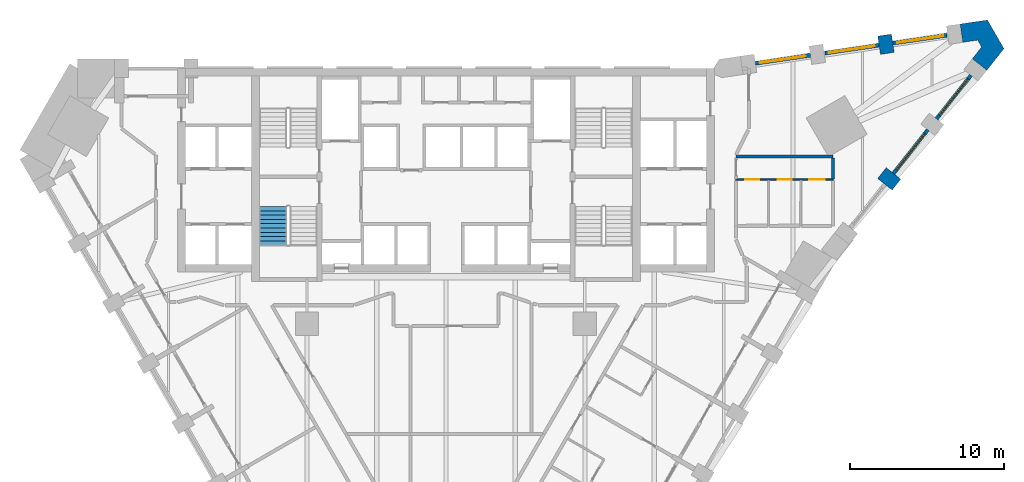
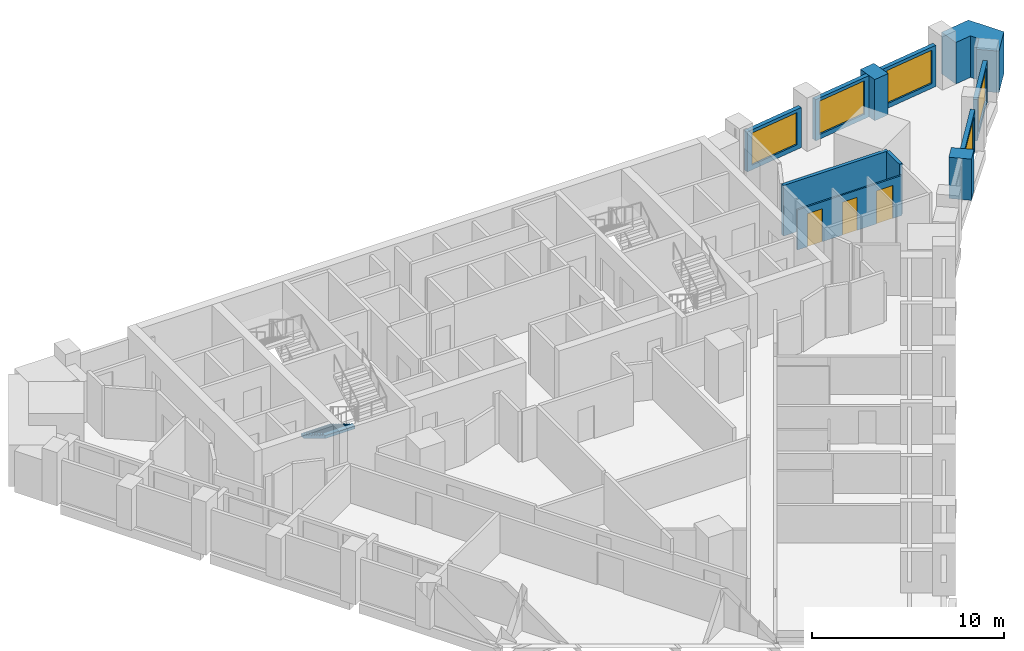
# One storey, part 9 of 11: 11 walls, 5 windows, 3 doors, 1 stair flight, 8 openings, 1 element without a shape of its own.
"""IFC4 building model written with IfcOpenShell, lengths in metres."""

from ifc_helpers import new_model, si_unit, direction, frame, frame_2d, origin, place, context, subcontext, project, spatial, polyline, rectangle, outline, extrude, faceted_brep, source, transform, mapped, material, layer, layer_set, type_object, element, fill, aggregate, save


model = new_model("IFC4")

# Units and contexts
model_context = context("Model", 3, precision=1e-05, world=origin(), true_north=direction((0.0, 1.0)))
body_context = subcontext(model_context, "Body", "Model", "MODEL_VIEW")
ifc_project = project(units=[si_unit("LENGTHUNIT", "METRE"), si_unit("AREAUNIT", "SQUARE_METRE"), si_unit("VOLUMEUNIT", "CUBIC_METRE"), si_unit("PLANEANGLEUNIT", "RADIAN"), si_unit("MASSUNIT", "GRAM", prefix="KILO")], contexts=[model_context])

# Site, building, storey
site_placement = place(None, origin())
site = spatial("IfcSite", under=ifc_project, at=site_placement, CompositionType="ELEMENT")
building_placement = place(site_placement, origin())
building = spatial("IfcBuilding", under=site, at=building_placement, Name="Calabash Gate Tower", CompositionType="ELEMENT")
storey_placement = place(building_placement, frame((0.0, 0.0, 115.60009765625)))
storey = spatial("IfcBuildingStorey", under=building, at=storey_placement, Name="L26", CompositionType="ELEMENT", Elevation=115.60009765625)

# Walls
ifc_material_1 = material(Name="Terracotta brick masonry, exposed face", Category="masonry")
ifc_layer_1 = layer(ifc_material_1, 1.199951171875)
ifc_layer_set_1 = layer_set([ifc_layer_1], Name="Brick end wall 1200")
wall_type_1 = type_object("IfcWallType", Name="Brick end wall 1200", PredefinedType="SOLIDWALL", material=ifc_layer_set_1)
for number, where, z_axis, x_axis, name in (
    (1, (29.204833984375, 11.5224609375, 0.0), (0.0, 0.0, 1.0), (-0.784330409431, 0.620343299184, 0.0), "Brick pier S07 wedge3.1"),
    (2, (28.43701171875, 21.217041015625, 0.0), (0.0, 0.0, 1.0), (0.145066385332, -0.989421924078, 0.0), "Brick pier S07 wedge5.1"),
):
    element("IfcWall", number, at=place(storey_placement, frame(where, z_axis=z_axis, x_axis=x_axis)), inside=storey, type_object=wall_type_1, Name=name, PredefinedType="SOLIDWALL", context=body_context, shape_type="SweptSolid", body=[
        extrude(rectangle(XDim=1.199951171875, YDim=0.89990234375, at=frame_2d((0.60009765625, 0.0))), origin(), (0.0, 0.0, 1.0), 2.6298828125),
    ])
wall_1_placement = place(storey_placement, origin())
element("IfcWall", 3, at=wall_1_placement, inside=storey, type_object=wall_type_1, Name="Brick end wall S07 2", PredefinedType="SOLIDWALL", context=body_context, shape_type="SweptSolid", body=[
    extrude(outline(polyline([(35.066650390625, 18.934814453125), (36.176513671875, 20.337890625), (35.104736328125, 22.1943359375), (33.334716796875, 21.934814453125), (33.5087890625, 20.74755859375), (34.472900390625, 20.888916015625), (34.72998046875, 20.443359375), (34.12548828125, 19.67919921875), (35.066650390625, 18.934814453125)])), origin(), (0.0, 0.0, 1.0), 2.64990234375),
])

# Wall, openings, doors
ifc_material_2 = material(Name="Gypsum board on steel studs, mineral wool", Category="steel")
ifc_layer_2 = layer(ifc_material_2, 0.10009765625)
ifc_layer_set_2 = layer_set([ifc_layer_2], Name="Partition 100 gypsum board")
wall_type_2 = type_object("IfcWallType", Name="Partition 100 gypsum board", PredefinedType="PARTITIONING", material=ifc_layer_set_2)
wall_2_placement = place(storey_placement, frame((18.80029296875, 11.850341796875, 0.0), z_axis=(0.0, 0.0, 1.0), x_axis=(1.0, 0.0, 0.0)))
wall_2 = element("IfcWall", 4, at=wall_2_placement, inside=storey, type_object=wall_type_2, Name="Partition", PredefinedType="PARTITIONING", context=body_context, shape_type="SweptSolid", body=[
    extrude(rectangle(XDim=6.2998046875, YDim=0.10009765625, at=frame_2d((3.14990234375, 0.0))), origin(), (0.0, 0.0, 1.0), 2.5517578125),
])
opening_1_placement = place(wall_2_placement, frame((0.599853515625, 0.0, 0.0)))
opening_1 = element("IfcOpeningElement", 5, at=opening_1_placement, cuts=wall_2, Name="Opening 25-27-019", PredefinedType="OPENING", context=body_context, shape_type="SweptSolid", body=[
    extrude(rectangle(XDim=0.89990234375, YDim=2.10009765625, at=frame_2d((0.449951171875, 1.050048828125))), frame((0.0, 0.06005859375, 0.0), z_axis=(0.0, -1.0, 0.0), x_axis=(1.0, 0.0, 0.0)), (0.0, 0.0, 1.0), 0.1201171875),
])
opening_2_placement = place(wall_2_placement, frame((2.699951171875, 0.0, 0.0)))
opening_2 = element("IfcOpeningElement", 6, at=opening_2_placement, cuts=wall_2, Name="Opening 25-27-020", PredefinedType="OPENING", context=body_context, shape_type="SweptSolid", body=[
    extrude(rectangle(XDim=0.89990234375, YDim=2.10009765625, at=frame_2d((0.449951171875, 1.050048828125))), frame((0.0, 0.06005859375, 0.0), z_axis=(0.0, -1.0, 0.0), x_axis=(1.0, 0.0, 0.0)), (0.0, 0.0, 1.0), 0.1201171875),
])
opening_3_placement = place(wall_2_placement, frame((4.75, 0.0, 0.0)))
opening_3 = element("IfcOpeningElement", 7, at=opening_3_placement, cuts=wall_2, Name="Opening 25-27-021", PredefinedType="OPENING", context=body_context, shape_type="SweptSolid", body=[
    extrude(rectangle(XDim=1.0, YDim=2.10009765625, at=frame_2d((0.5, 1.050048828125))), frame((0.0, 0.06005859375, 0.0), z_axis=(0.0, -1.0, 0.0), x_axis=(1.0, 0.0, 0.0)), (0.0, 0.0, 1.0), 0.1201171875),
])
ifc_material_3 = material(Name="Painted timber door", Category="wood")
door_type_1 = type_object("IfcDoorType", Name="WD1 WC door 900x2100", OperationType="NOTDEFINED", PredefinedType="DOOR", material=ifc_material_3)
door_1_placement = place(opening_1_placement, origin())
door_1 = element("IfcDoor", 8, at=door_1_placement, inside=storey, type_object=door_type_1, Name="WC door", OperationType="SINGLE_SWING_RIGHT", OverallHeight=2.10009765625, OverallWidth=0.89990234375, PredefinedType="DOOR", context=body_context, shape_type="SweptSolid", body=[
    extrude(rectangle(XDim=0.89990234375, YDim=2.10009765625, at=frame_2d((0.449951171875, 1.050048828125))), frame((0.0, 0.02490234375, 0.0), z_axis=(0.0, -1.0, 0.0), x_axis=(1.0, 0.0, 0.0)), (0.0, 0.0, 1.0), 0.050048828125),
])
fill(opening_1, door_1)
door_2_placement = place(opening_2_placement, origin())
door_2 = element("IfcDoor", 9, at=door_2_placement, inside=storey, type_object=door_type_1, Name="WC door", OperationType="SINGLE_SWING_RIGHT", OverallHeight=2.10009765625, OverallWidth=0.89990234375, PredefinedType="DOOR", context=body_context, shape_type="SweptSolid", body=[
    extrude(rectangle(XDim=0.89990234375, YDim=2.10009765625, at=frame_2d((0.449951171875, 1.050048828125))), frame((0.0, 0.02490234375, 0.0), z_axis=(0.0, -1.0, 0.0), x_axis=(1.0, 0.0, 0.0)), (0.0, 0.0, 1.0), 0.050048828125),
])
fill(opening_2, door_2)
ifc_material_4 = material(Name="Painted timber door", Category="wood")
door_type_2 = type_object("IfcDoorType", Name="WD2 Accessible WC door 1000x2100", OperationType="NOTDEFINED", PredefinedType="DOOR", material=ifc_material_4)
door_3_placement = place(opening_3_placement, origin())
door_3 = element("IfcDoor", 10, at=door_3_placement, inside=storey, type_object=door_type_2, Name="Accessible WC door", OperationType="SINGLE_SWING_LEFT", OverallHeight=2.10009765625, OverallWidth=1.0, PredefinedType="DOOR", context=body_context, shape_type="SweptSolid", body=[
    extrude(rectangle(XDim=1.0, YDim=2.10009765625, at=frame_2d((0.5, 1.050048828125))), frame((0.0, 0.02490234375, 0.0), z_axis=(0.0, -1.0, 0.0), x_axis=(1.0, 0.0, 0.0)), (0.0, 0.0, 1.0), 0.050048828125),
])
fill(opening_3, door_3)

# Walls
ifc_material_5 = material(Name="Gypsum board on steel studs, mineral wool", Category="steel")
ifc_layer_3 = layer(ifc_material_5, 0.199951171875)
ifc_layer_set_3 = layer_set([ifc_layer_3], Name="Partition 200 gypsum board EI 60")
wall_type_3 = type_object("IfcWallType", Name="Partition 200 gypsum board EI 60", PredefinedType="PARTITIONING", material=ifc_layer_set_3)
wall_3_placement = place(storey_placement, frame((25.098388671875, 11.90234375, 0.0), z_axis=(0.0, 0.0, 1.0), x_axis=(0.001085186556, 0.999999411185, 0.0)))
element("IfcWall", 11, at=wall_3_placement, inside=storey, type_object=wall_type_3, Name="Partition", PredefinedType="PARTITIONING", context=body_context, shape_type="SweptSolid", body=[
    extrude(rectangle(XDim=1.349853515625, YDim=0.199951171875, at=frame_2d((0.6748046875, 0.0))), origin(), (0.0, 0.0, 1.0), 3.22998046875),
])
wall_4_placement = place(storey_placement, frame((18.802001953125, 13.3505859375, 0.0), z_axis=(0.0, 0.0, 1.0), x_axis=(0.999999963185, 0.000271349372, 0.0)))
element("IfcWall", 12, at=wall_4_placement, inside=storey, type_object=wall_type_3, Name="Partition", PredefinedType="PARTITIONING", context=body_context, shape_type="SweptSolid", body=[
    extrude(rectangle(XDim=6.298095703125, YDim=0.199951171875, at=frame_2d((3.14892578125, 0.0))), origin(), (0.0, 0.0, 1.0), 3.22998046875),
])

# Wall, opening, window
ifc_material_6 = material(Name="Aluminium framed window wall with insulated spandrel", Category="aluminium")
ifc_layer_4 = layer(ifc_material_6, 0.25)
ifc_layer_set_4 = layer_set([ifc_layer_4], Name="Prow window wall 250")
wall_type_4 = type_object("IfcWallType", Name="Prow window wall 250", PredefinedType="ELEMENTEDWALL", material=ifc_layer_set_4)
wall_5_placement = place(storey_placement, frame((29.013427734375, 12.24755859375, 0.0), z_axis=(0.0, 0.0, 1.0), x_axis=(0.620310302622, 0.784356505972, 0.0)))
wall_5 = element("IfcWall", 13, at=wall_5_placement, inside=storey, type_object=wall_type_4, Name="Prow window wall S07 wedge3.2", PredefinedType="ELEMENTEDWALL", context=body_context, shape_type="SweptSolid", body=[
    extrude(rectangle(XDim=3.60009765625, YDim=0.25, at=frame_2d((1.800048828125, 0.0))), origin(), (0.0, 0.0, 1.0), 2.6298828125),
])
opening_4_placement = place(wall_5_placement, frame((0.300048828125, 0.0, 0.300048828125)))
opening_4 = element("IfcOpeningElement", 14, at=opening_4_placement, cuts=wall_5, Name="Opening WP1L-2130", PredefinedType="OPENING", context=body_context, shape_type="SweptSolid", body=[
    extrude(rectangle(XDim=3.0, YDim=2.1298828125, at=frame_2d((1.5, 1.06494140625))), frame((0.0, 0.135009765625, 0.0), z_axis=(0.0, -1.0, 0.0), x_axis=(1.0, 0.0, 0.0)), (0.0, 0.0, 1.0), 0.27001953125),
])
ifc_material_7 = material(Name="Anodised aluminium frame, bronze finish, impact-rated laminated clear glazing", Category="aluminium")
window_type_1 = type_object("IfcWindowType", Name="Window WP1L 3000x2130", PartitioningType="DOUBLE_PANEL_VERTICAL", PredefinedType="WINDOW", material=ifc_material_7)
window_1_placement = place(opening_4_placement, origin())
window_1 = element("IfcWindow", 15, at=window_1_placement, inside=storey, type_object=window_type_1, Name="Prow window WP1L S07 wedge3.2", OverallHeight=2.1298828125, OverallWidth=3.0, PartitioningType="SINGLE_PANEL", PredefinedType="WINDOW", context=body_context, shape_type="SweptSolid", body=[
    extrude(rectangle(XDim=3.0, YDim=2.1298828125, at=frame_2d((1.5, 1.06494140625))), frame((0.0, 0.030029296875, 0.0), z_axis=(0.0, -1.0, 0.0), x_axis=(1.0, 0.0, 0.0)), (0.0, 0.0, 1.0), 0.06005859375),
])
fill(opening_4, window_1)

wall_6_placement = place(storey_placement, frame((31.804931640625, 15.77734375, 0.0), z_axis=(0.0, 0.0, 1.0), x_axis=(0.620301575857, 0.784363407477, 0.0)))
wall_6 = element("IfcWall", 16, at=wall_6_placement, inside=storey, type_object=wall_type_4, Name="Prow window wall S07 wedge3.3", PredefinedType="ELEMENTEDWALL", context=body_context, shape_type="SweptSolid", body=[
    extrude(rectangle(XDim=3.599609375, YDim=0.25, at=frame_2d((1.7998046875, 0.0))), origin(), (0.0, 0.0, 1.0), 2.6298828125),
])
opening_5_placement = place(wall_6_placement, frame((0.300048828125, 0.0, 0.300048828125)))
opening_5 = element("IfcOpeningElement", 17, at=opening_5_placement, cuts=wall_6, Name="Opening WP1L-2130", PredefinedType="OPENING", context=body_context, shape_type="SweptSolid", body=[
    extrude(rectangle(XDim=3.0, YDim=2.1298828125, at=frame_2d((1.5, 1.06494140625))), frame((0.0, 0.135009765625, 0.0), z_axis=(0.0, -1.0, 0.0), x_axis=(1.0, 0.0, 0.0)), (0.0, 0.0, 1.0), 0.27001953125),
])
window_2_placement = place(opening_5_placement, origin())
window_2 = element("IfcWindow", 18, at=window_2_placement, inside=storey, type_object=window_type_1, Name="Prow window WP1L S07 wedge3.3", OverallHeight=2.1298828125, OverallWidth=3.0, PartitioningType="SINGLE_PANEL", PredefinedType="WINDOW", context=body_context, shape_type="SweptSolid", body=[
    extrude(rectangle(XDim=3.0, YDim=2.1298828125, at=frame_2d((1.5, 1.06494140625))), frame((0.0, 0.030029296875, 0.0), z_axis=(0.0, -1.0, 0.0), x_axis=(1.0, 0.0, 0.0)), (0.0, 0.0, 1.0), 0.06005859375),
])
fill(opening_5, window_2)

wall_7_placement = place(storey_placement, frame((32.481689453125, 21.203369140625, 0.0), z_axis=(0.0, 0.0, 1.0), x_axis=(-0.989427410985, -0.145028957081, 0.0)))
wall_7 = element("IfcWall", 19, at=wall_7_placement, inside=storey, type_object=wall_type_4, Name="Prow window wall S07 wedge5.1", PredefinedType="ELEMENTEDWALL", context=body_context, shape_type="SweptSolid", body=[
    extrude(rectangle(XDim=3.552001953125, YDim=0.25, at=frame_2d((1.77587890625, 0.0))), origin(), (0.0, 0.0, 1.0), 2.6298828125),
])
opening_6_placement = place(wall_7_placement, frame((0.25, 0.0, 0.300048828125)))
opening_6 = element("IfcOpeningElement", 20, at=opening_6_placement, cuts=wall_7, Name="Opening WP1L-2130", PredefinedType="OPENING", context=body_context, shape_type="SweptSolid", body=[
    extrude(rectangle(XDim=3.0, YDim=2.1298828125, at=frame_2d((1.5, 1.06494140625))), frame((0.0, 0.135009765625, 0.0), z_axis=(0.0, -1.0, 0.0), x_axis=(1.0, 0.0, 0.0)), (0.0, 0.0, 1.0), 0.27001953125),
])
window_3_placement = place(opening_6_placement, origin())
window_3 = element("IfcWindow", 21, at=window_3_placement, inside=storey, type_object=window_type_1, Name="Prow window WP1L S07 wedge5.1", OverallHeight=2.1298828125, OverallWidth=3.0, PartitioningType="SINGLE_PANEL", PredefinedType="WINDOW", context=body_context, shape_type="SweptSolid", body=[
    extrude(rectangle(XDim=3.0, YDim=2.1298828125, at=frame_2d((1.5, 1.06494140625))), frame((0.0, 0.030029296875, 0.0), z_axis=(0.0, -1.0, 0.0), x_axis=(1.0, 0.0, 0.0)), (0.0, 0.0, 1.0), 0.06005859375),
])
fill(opening_6, window_3)

wall_8_placement = place(storey_placement, frame((28.080810546875, 20.558349609375, 0.0), z_axis=(0.0, 0.0, 1.0), x_axis=(-0.989427410985, -0.145028957081, 0.0)))
wall_8 = element("IfcWall", 22, at=wall_8_placement, inside=storey, type_object=wall_type_4, Name="Prow window wall S07 wedge5.2", PredefinedType="ELEMENTEDWALL", context=body_context, shape_type="SweptSolid", body=[
    extrude(rectangle(XDim=3.552001953125, YDim=0.25, at=frame_2d((1.77587890625, 0.0))), origin(), (0.0, 0.0, 1.0), 2.6298828125),
])
opening_7_placement = place(wall_8_placement, frame((0.302001953125, 0.0, 0.300048828125)))
opening_7 = element("IfcOpeningElement", 23, at=opening_7_placement, cuts=wall_8, Name="Opening WP1L-2130", PredefinedType="OPENING", context=body_context, shape_type="SweptSolid", body=[
    extrude(rectangle(XDim=3.0, YDim=2.1298828125, at=frame_2d((1.5, 1.06494140625))), frame((0.0, 0.135009765625, 0.0), z_axis=(0.0, -1.0, 0.0), x_axis=(1.0, 0.0, 0.0)), (0.0, 0.0, 1.0), 0.27001953125),
])
window_4_placement = place(opening_7_placement, origin())
window_4 = element("IfcWindow", 24, at=window_4_placement, inside=storey, type_object=window_type_1, Name="Prow window WP1L S07 wedge5.2", OverallHeight=2.1298828125, OverallWidth=3.0, PartitioningType="SINGLE_PANEL", PredefinedType="WINDOW", context=body_context, shape_type="SweptSolid", body=[
    extrude(rectangle(XDim=3.0, YDim=2.1298828125, at=frame_2d((1.5, 1.06494140625))), frame((0.0, 0.030029296875, 0.0), z_axis=(0.0, -1.0, 0.0), x_axis=(1.0, 0.0, 0.0)), (0.0, 0.0, 1.0), 0.06005859375),
])
fill(opening_7, window_4)

wall_9_placement = place(storey_placement, frame((23.626220703125, 19.905517578125, 0.0), z_axis=(0.0, 0.0, 1.0), x_axis=(-0.989431656237, -0.144999991846, 0.0)))
wall_9 = element("IfcWall", 25, at=wall_9_placement, inside=storey, type_object=wall_type_4, Name="Prow window wall S07 wedge5.3", PredefinedType="ELEMENTEDWALL", context=body_context, shape_type="SweptSolid", body=[
    extrude(rectangle(XDim=3.599853515625, YDim=0.25, at=frame_2d((1.7998046875, 0.0))), origin(), (0.0, 0.0, 1.0), 2.5517578125),
])
opening_8_placement = place(wall_9_placement, frame((0.300048828125, 0.0, 0.300048828125)))
opening_8 = element("IfcOpeningElement", 26, at=opening_8_placement, cuts=wall_9, Name="Opening WP1L-2050", PredefinedType="OPENING", context=body_context, shape_type="SweptSolid", body=[
    extrude(rectangle(XDim=3.0, YDim=2.050048828125, at=frame_2d((1.5, 1.02490234375))), frame((0.0, 0.135009765625, 0.0), z_axis=(0.0, -1.0, 0.0), x_axis=(1.0, 0.0, 0.0)), (0.0, 0.0, 1.0), 0.27001953125),
])
ifc_material_8 = material(Name="Anodised aluminium frame, bronze finish, impact-rated laminated clear glazing", Category="aluminium")
window_type_2 = type_object("IfcWindowType", Name="Window WP1L 3000x2050", PartitioningType="DOUBLE_PANEL_VERTICAL", PredefinedType="WINDOW", material=ifc_material_8)
window_5_placement = place(opening_8_placement, origin())
window_5 = element("IfcWindow", 27, at=window_5_placement, inside=storey, type_object=window_type_2, Name="Prow window WP1L S07 wedge5.3", OverallHeight=2.050048828125, OverallWidth=3.0, PartitioningType="SINGLE_PANEL", PredefinedType="WINDOW", context=body_context, shape_type="SweptSolid", body=[
    extrude(rectangle(XDim=3.0, YDim=2.050048828125, at=frame_2d((1.5, 1.02490234375))), frame((0.0, 0.030029296875, 0.0), z_axis=(0.0, -1.0, 0.0), x_axis=(1.0, 0.0, 0.0)), (0.0, 0.0, 1.0), 0.06005859375),
])
fill(opening_8, window_5)

# Stair, stair flight
ifc_material_9 = material(Name="Concrete C40/50", Category="concrete")
stair_type = type_object("IfcStairType", Name="Exit stair 20 risers of 170 mm", PredefinedType="HALF_TURN_STAIR", material=ifc_material_9)
stair_placement = place(storey_placement, origin())
stair = element("IfcStair", 28, at=stair_placement, inside=storey, type_object=stair_type, Name="L26 Exit stair ST2", PredefinedType="HALF_TURN_STAIR")
ifc_material_10 = material(Name="Concrete C40/50", Category="concrete")
stair_flight_type = type_object("IfcStairFlightType", Name="Exit stair flight SFL", PredefinedType="STRAIGHT", material=ifc_material_10)
shared_shape = source(origin(), body_context, "Body", "Brep", [
    faceted_brep([(-0.0009765625, -0.89990234375, 0.0), (0.2880859375, -0.89990234375, 0.0), (2.511962890625, -0.89990234375, 1.3544921875), (-0.0009765625, 0.89990234375, 0.0), (2.511962890625, 0.89990234375, 1.3544921875), (0.2880859375, 0.89990234375, 0.0), (2.511962890625, -0.89990234375, 1.5419921875), (2.510986328125, -0.89990234375, 1.5419921875), (2.510986328125, 0.89990234375, 1.5419921875), (2.511962890625, 0.89990234375, 1.5419921875), (2.510986328125, -0.89990234375, 1.530029296875), (2.510986328125, 0.89990234375, 1.530029296875), (2.23193359375, -0.89990234375, 1.530029296875), (2.23193359375, 0.89990234375, 1.530029296875), (2.23193359375, -0.89990234375, 1.360107421875), (2.23193359375, 0.89990234375, 1.360107421875), (1.952880859375, -0.89990234375, 1.360107421875), (1.952880859375, 0.89990234375, 1.360107421875), (1.952880859375, -0.89990234375, 1.18994140625), (1.952880859375, 0.89990234375, 1.18994140625), (1.674072265625, -0.89990234375, 1.18994140625), (1.674072265625, -0.89990234375, 1.02001953125), (1.674072265625, 0.89990234375, 1.02001953125), (1.674072265625, 0.89990234375, 1.18994140625), (1.39501953125, -0.89990234375, 1.02001953125), (1.39501953125, -0.89990234375, 0.85009765625), (1.39501953125, 0.89990234375, 0.85009765625), (1.39501953125, 0.89990234375, 1.02001953125), (1.115966796875, -0.89990234375, 0.85009765625), (1.115966796875, -0.89990234375, 0.679931640625), (1.115966796875, 0.89990234375, 0.679931640625), (1.115966796875, 0.89990234375, 0.85009765625), (0.8369140625, -0.89990234375, 0.679931640625), (0.8369140625, -0.89990234375, 0.510009765625), (0.8369140625, 0.89990234375, 0.510009765625), (0.8369140625, 0.89990234375, 0.679931640625), (0.55810546875, -0.89990234375, 0.510009765625), (0.55810546875, -0.89990234375, 0.340087890625), (0.55810546875, 0.89990234375, 0.340087890625), (0.55810546875, 0.89990234375, 0.510009765625), (0.279052734375, -0.89990234375, 0.340087890625), (0.279052734375, -0.89990234375, 0.169921875), (0.279052734375, 0.89990234375, 0.169921875), (0.279052734375, 0.89990234375, 0.340087890625), (-0.0009765625, -0.89990234375, 0.169921875), (-0.0009765625, 0.89990234375, 0.169921875), (0.2880859375, -0.360107421875, 0.0), (2.511962890625, -0.360107421875, 1.3544921875), (0.2880859375, -0.179931640625, 0.0), (2.511962890625, -0.179931640625, 1.3544921875), (0.2880859375, 0.0, 0.0), (2.511962890625, 0.0, 1.3544921875), (0.2880859375, 0.179931640625, 0.0), (2.511962890625, 0.179931640625, 1.3544921875), (0.2880859375, 0.360107421875, 0.0), (2.511962890625, 0.360107421875, 1.3544921875), (2.511962890625, -0.360107421875, 1.5419921875), (2.511962890625, -0.179931640625, 1.5419921875), (2.511962890625, 0.0, 1.5419921875), (2.511962890625, 0.179931640625, 1.5419921875), (2.511962890625, 0.360107421875, 1.5419921875), (2.510986328125, -0.360107421875, 1.5419921875), (2.510986328125, -0.179931640625, 1.5419921875), (2.510986328125, 0.0, 1.5419921875), (2.510986328125, 0.179931640625, 1.5419921875), (2.510986328125, 0.360107421875, 1.5419921875), (2.510986328125, -0.360107421875, 1.530029296875), (2.510986328125, -0.179931640625, 1.530029296875), (2.510986328125, 0.0, 1.530029296875), (2.510986328125, 0.179931640625, 1.530029296875), (2.510986328125, 0.360107421875, 1.530029296875), (2.23193359375, -0.360107421875, 1.530029296875), (2.23193359375, -0.179931640625, 1.530029296875), (2.23193359375, 0.0, 1.530029296875), (2.23193359375, 0.179931640625, 1.530029296875), (2.23193359375, 0.360107421875, 1.530029296875), (2.23193359375, -0.360107421875, 1.360107421875), (2.23193359375, -0.179931640625, 1.360107421875), (2.23193359375, 0.0, 1.360107421875), (2.23193359375, 0.179931640625, 1.360107421875), (2.23193359375, 0.360107421875, 1.360107421875), (1.952880859375, -0.360107421875, 1.360107421875), (1.952880859375, -0.179931640625, 1.360107421875), (1.952880859375, 0.0, 1.360107421875), (1.952880859375, 0.179931640625, 1.360107421875), (1.952880859375, 0.360107421875, 1.360107421875), (1.952880859375, -0.360107421875, 1.18994140625), (1.952880859375, -0.179931640625, 1.18994140625), (1.952880859375, 0.0, 1.18994140625), (1.952880859375, 0.179931640625, 1.18994140625), (1.952880859375, 0.360107421875, 1.18994140625), (1.674072265625, -0.360107421875, 1.18994140625), (1.674072265625, -0.179931640625, 1.18994140625), (1.674072265625, 0.0, 1.18994140625), (1.674072265625, 0.179931640625, 1.18994140625), (1.674072265625, 0.360107421875, 1.18994140625), (1.674072265625, -0.360107421875, 1.02001953125), (1.674072265625, -0.179931640625, 1.02001953125), (1.674072265625, 0.0, 1.02001953125), (1.674072265625, 0.179931640625, 1.02001953125), (1.674072265625, 0.360107421875, 1.02001953125), (1.39501953125, -0.360107421875, 1.02001953125), (1.39501953125, -0.179931640625, 1.02001953125), (1.39501953125, 0.0, 1.02001953125), (1.39501953125, 0.179931640625, 1.02001953125), (1.39501953125, 0.360107421875, 1.02001953125), (1.39501953125, -0.360107421875, 0.85009765625), (1.39501953125, -0.179931640625, 0.85009765625), (1.39501953125, 0.0, 0.85009765625), (1.39501953125, 0.179931640625, 0.85009765625), (1.39501953125, 0.360107421875, 0.85009765625), (1.115966796875, -0.360107421875, 0.85009765625), (1.115966796875, -0.179931640625, 0.85009765625), (1.115966796875, 0.0, 0.85009765625), (1.115966796875, 0.179931640625, 0.85009765625), (1.115966796875, 0.360107421875, 0.85009765625), (1.115966796875, -0.360107421875, 0.679931640625), (1.115966796875, -0.179931640625, 0.679931640625), (1.115966796875, 0.0, 0.679931640625), (1.115966796875, 0.179931640625, 0.679931640625), (1.115966796875, 0.360107421875, 0.679931640625), (0.8369140625, -0.360107421875, 0.679931640625), (0.8369140625, -0.179931640625, 0.679931640625), (0.8369140625, 0.0, 0.679931640625), (0.8369140625, 0.179931640625, 0.679931640625), (0.8369140625, 0.360107421875, 0.679931640625), (0.8369140625, -0.360107421875, 0.510009765625), (0.8369140625, -0.179931640625, 0.510009765625), (0.8369140625, 0.0, 0.510009765625), (0.8369140625, 0.179931640625, 0.510009765625), (0.8369140625, 0.360107421875, 0.510009765625), (0.55810546875, -0.360107421875, 0.510009765625), (0.55810546875, -0.179931640625, 0.510009765625), (0.55810546875, 0.0, 0.510009765625), (0.55810546875, 0.179931640625, 0.510009765625), (0.55810546875, 0.360107421875, 0.510009765625), (0.55810546875, -0.360107421875, 0.340087890625), (0.55810546875, -0.179931640625, 0.340087890625), (0.55810546875, 0.0, 0.340087890625), (0.55810546875, 0.179931640625, 0.340087890625), (0.55810546875, 0.360107421875, 0.340087890625), (0.279052734375, -0.360107421875, 0.340087890625), (0.279052734375, -0.179931640625, 0.340087890625), (0.279052734375, 0.0, 0.340087890625), (0.279052734375, 0.179931640625, 0.340087890625), (0.279052734375, 0.360107421875, 0.340087890625), (0.279052734375, -0.360107421875, 0.169921875), (0.279052734375, -0.179931640625, 0.169921875), (0.279052734375, 0.0, 0.169921875), (0.279052734375, 0.179931640625, 0.169921875), (0.279052734375, 0.360107421875, 0.169921875), (-0.0009765625, -0.360107421875, 0.169921875), (-0.0009765625, -0.179931640625, 0.169921875), (-0.0009765625, 0.0, 0.169921875), (-0.0009765625, 0.179931640625, 0.169921875), (-0.0009765625, 0.360107421875, 0.169921875), (-0.0009765625, -0.360107421875, 0.0), (-0.0009765625, -0.179931640625, 0.0), (-0.0009765625, 0.0, 0.0), (-0.0009765625, 0.179931640625, 0.0), (-0.0009765625, 0.360107421875, 0.0)], [[[0, 1, 2]], [[3, 4, 5]], [[2, 6, 7]], [[4, 8, 9]], [[2, 7, 10]], [[4, 11, 8]], [[2, 10, 12]], [[4, 13, 11]], [[2, 12, 14]], [[4, 15, 13]], [[2, 14, 16]], [[4, 17, 15]], [[2, 16, 18]], [[4, 19, 17]], [[18, 20, 21]], [[19, 22, 23]], [[2, 18, 21]], [[4, 22, 19]], [[21, 24, 25]], [[22, 26, 27]], [[2, 21, 25]], [[4, 26, 22]], [[25, 28, 29]], [[26, 30, 31]], [[2, 25, 29]], [[4, 30, 26]], [[29, 32, 33]], [[30, 34, 35]], [[2, 29, 33]], [[4, 34, 30]], [[33, 36, 37]], [[34, 38, 39]], [[2, 33, 37]], [[4, 38, 34]], [[37, 40, 41]], [[38, 42, 43]], [[2, 37, 41]], [[4, 42, 38]], [[0, 2, 41]], [[3, 42, 4]], [[41, 44, 0]], [[42, 3, 45]], [[1, 46, 2]], [[46, 47, 2]], [[46, 48, 47]], [[48, 49, 47]], [[48, 50, 49]], [[50, 51, 49]], [[50, 52, 53]], [[50, 53, 51]], [[52, 54, 55]], [[52, 55, 53]], [[54, 5, 4]], [[54, 4, 55]], [[2, 47, 6]], [[47, 56, 6]], [[47, 49, 56]], [[49, 57, 56]], [[49, 51, 57]], [[51, 58, 57]], [[51, 53, 59]], [[51, 59, 58]], [[53, 55, 60]], [[53, 60, 59]], [[55, 4, 9]], [[55, 9, 60]], [[6, 56, 7]], [[56, 61, 7]], [[56, 57, 61]], [[57, 62, 61]], [[57, 58, 62]], [[58, 63, 62]], [[58, 59, 64]], [[58, 64, 63]], [[59, 60, 65]], [[59, 65, 64]], [[60, 9, 8]], [[60, 8, 65]], [[7, 61, 10]], [[61, 66, 10]], [[61, 62, 66]], [[62, 67, 66]], [[62, 63, 67]], [[63, 68, 67]], [[63, 64, 69]], [[63, 69, 68]], [[64, 65, 70]], [[64, 70, 69]], [[65, 8, 11]], [[65, 11, 70]], [[10, 66, 12]], [[66, 71, 12]], [[66, 67, 71]], [[67, 72, 71]], [[67, 68, 72]], [[68, 73, 72]], [[68, 69, 74]], [[68, 74, 73]], [[69, 70, 75]], [[69, 75, 74]], [[70, 11, 13]], [[70, 13, 75]], [[12, 71, 14]], [[71, 76, 14]], [[71, 72, 76]], [[72, 77, 76]], [[72, 73, 77]], [[73, 78, 77]], [[73, 74, 79]], [[73, 79, 78]], [[74, 75, 80]], [[74, 80, 79]], [[75, 13, 15]], [[75, 15, 80]], [[14, 76, 16]], [[76, 81, 16]], [[76, 77, 81]], [[77, 82, 81]], [[77, 78, 82]], [[78, 83, 82]], [[78, 79, 84]], [[78, 84, 83]], [[79, 80, 85]], [[79, 85, 84]], [[80, 15, 17]], [[80, 17, 85]], [[16, 81, 18]], [[81, 86, 18]], [[81, 82, 86]], [[82, 87, 86]], [[82, 83, 87]], [[83, 88, 87]], [[83, 84, 89]], [[83, 89, 88]], [[84, 85, 90]], [[84, 90, 89]], [[85, 17, 19]], [[85, 19, 90]], [[18, 86, 20]], [[86, 91, 20]], [[86, 87, 91]], [[87, 92, 91]], [[87, 88, 92]], [[88, 93, 92]], [[88, 89, 94]], [[88, 94, 93]], [[89, 90, 95]], [[89, 95, 94]], [[90, 19, 23]], [[90, 23, 95]], [[20, 91, 21]], [[91, 96, 21]], [[91, 92, 96]], [[92, 97, 96]], [[92, 93, 97]], [[93, 98, 97]], [[93, 94, 99]], [[93, 99, 98]], [[94, 95, 100]], [[94, 100, 99]], [[95, 23, 22]], [[95, 22, 100]], [[21, 96, 24]], [[96, 101, 24]], [[96, 97, 101]], [[97, 102, 101]], [[97, 98, 102]], [[98, 103, 102]], [[98, 99, 104]], [[98, 104, 103]], [[99, 100, 105]], [[99, 105, 104]], [[100, 22, 27]], [[100, 27, 105]], [[24, 101, 25]], [[101, 106, 25]], [[101, 102, 106]], [[102, 107, 106]], [[102, 103, 107]], [[103, 108, 107]], [[103, 104, 109]], [[103, 109, 108]], [[104, 105, 110]], [[104, 110, 109]], [[105, 27, 26]], [[105, 26, 110]], [[25, 106, 28]], [[106, 111, 28]], [[106, 107, 111]], [[107, 112, 111]], [[107, 108, 112]], [[108, 113, 112]], [[108, 109, 114]], [[108, 114, 113]], [[109, 110, 115]], [[109, 115, 114]], [[110, 26, 31]], [[110, 31, 115]], [[28, 111, 29]], [[111, 116, 29]], [[111, 112, 116]], [[112, 117, 116]], [[112, 113, 117]], [[113, 118, 117]], [[113, 114, 119]], [[113, 119, 118]], [[114, 115, 120]], [[114, 120, 119]], [[115, 31, 30]], [[115, 30, 120]], [[29, 116, 32]], [[116, 121, 32]], [[116, 117, 121]], [[117, 122, 121]], [[117, 118, 122]], [[118, 123, 122]], [[118, 119, 124]], [[118, 124, 123]], [[119, 120, 125]], [[119, 125, 124]], [[120, 30, 35]], [[120, 35, 125]], [[32, 121, 33]], [[121, 126, 33]], [[121, 122, 126]], [[122, 127, 126]], [[122, 123, 127]], [[123, 128, 127]], [[123, 124, 129]], [[123, 129, 128]], [[124, 125, 130]], [[124, 130, 129]], [[125, 35, 34]], [[125, 34, 130]], [[33, 126, 36]], [[126, 131, 36]], [[126, 127, 131]], [[127, 132, 131]], [[127, 128, 132]], [[128, 133, 132]], [[128, 129, 134]], [[128, 134, 133]], [[129, 130, 135]], [[129, 135, 134]], [[130, 34, 39]], [[130, 39, 135]], [[36, 131, 37]], [[131, 136, 37]], [[131, 132, 136]], [[132, 137, 136]], [[132, 133, 137]], [[133, 138, 137]], [[133, 134, 139]], [[133, 139, 138]], [[134, 135, 140]], [[134, 140, 139]], [[135, 39, 38]], [[135, 38, 140]], [[37, 136, 40]], [[136, 141, 40]], [[136, 137, 141]], [[137, 142, 141]], [[137, 138, 142]], [[138, 143, 142]], [[138, 139, 144]], [[138, 144, 143]], [[139, 140, 145]], [[139, 145, 144]], [[140, 38, 43]], [[140, 43, 145]], [[40, 141, 41]], [[141, 146, 41]], [[141, 142, 146]], [[142, 147, 146]], [[142, 143, 147]], [[143, 148, 147]], [[143, 144, 149]], [[143, 149, 148]], [[144, 145, 150]], [[144, 150, 149]], [[145, 43, 42]], [[145, 42, 150]], [[41, 146, 44]], [[146, 151, 44]], [[146, 147, 151]], [[147, 152, 151]], [[147, 148, 152]], [[148, 153, 152]], [[148, 149, 154]], [[148, 154, 153]], [[149, 150, 155]], [[149, 155, 154]], [[150, 42, 45]], [[150, 45, 155]], [[44, 151, 0]], [[151, 156, 0]], [[151, 152, 156]], [[152, 157, 156]], [[152, 153, 157]], [[153, 158, 157]], [[153, 154, 159]], [[153, 159, 158]], [[154, 155, 160]], [[154, 160, 159]], [[155, 45, 3]], [[155, 3, 160]], [[0, 156, 1]], [[156, 46, 1]], [[156, 157, 46]], [[157, 48, 46]], [[157, 158, 48]], [[158, 50, 48]], [[158, 159, 52]], [[158, 52, 50]], [[159, 160, 54]], [[159, 54, 52]], [[160, 3, 5]], [[160, 5, 54]]]),
])
stair_flight_placement = place(storey_placement, frame((-11.199951171875, 10.1025390625, 0.0), z_axis=(0.0, 0.0, 1.0), x_axis=(0.0, -1.0, 0.0)))
stair_flight = element("IfcStairFlight", 29, at=stair_flight_placement, type_object=stair_flight_type, Name="ST2 flight 1", NumberOfRisers=10, NumberOfTreads=9, PredefinedType="STRAIGHT", RiserHeight=0.17, TreadLength=0.279, context=body_context, shape_type="MappedRepresentation", body=[
    mapped(shared_shape, transform((0.0, 0.0, 0.0), scale=1.0)),
])
aggregate(stair, [stair_flight])

save(model, "model.ifc")
